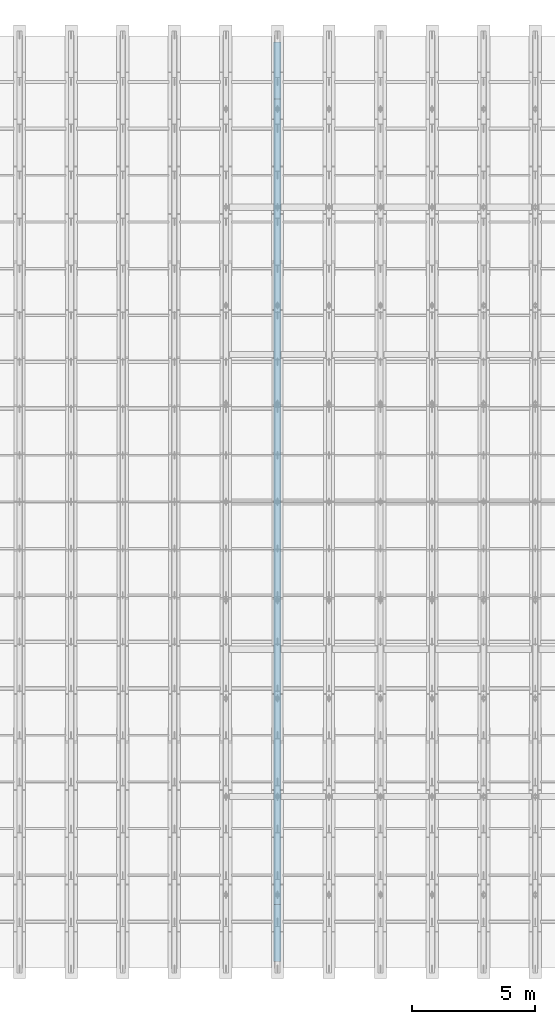
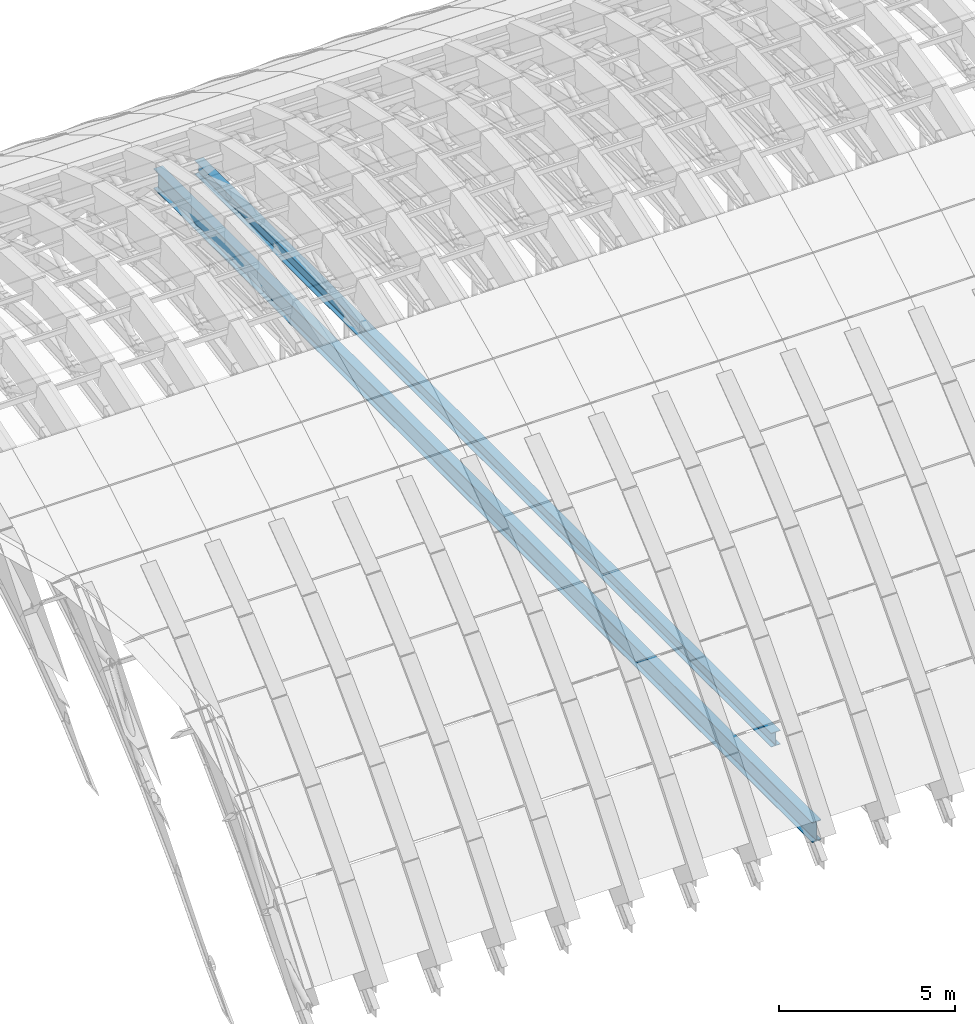
# One storey, part 17 of 67: 2 beams.
"""IFC4 building model written with IfcOpenShell, lengths in metres."""

from ifc_helpers import new_model, si_unit, direction, frame, origin, origin_2d, place, context, subcontext, project, spatial, i_section, extrude, material, material_profile, profile_set, type_object, element, save


model = new_model("IFC4")

# Units and contexts
model_context = context("Model", 3, precision=1e-05, world=origin(), true_north=direction((0.0, 1.0)))
body_context = subcontext(model_context, "Body", "Model", "MODEL_VIEW")
ifc_project = project(units=[si_unit("LENGTHUNIT", "METRE"), si_unit("AREAUNIT", "SQUARE_METRE"), si_unit("VOLUMEUNIT", "CUBIC_METRE"), si_unit("PLANEANGLEUNIT", "RADIAN"), si_unit("MASSUNIT", "GRAM", prefix="KILO")], contexts=[model_context])

# Site, building, storey
site_placement = place(None, origin())
site = spatial("IfcSite", under=ifc_project, at=site_placement, CompositionType="ELEMENT")
building_placement = place(site_placement, origin())
building = spatial("IfcBuilding", under=site, at=building_placement, Name="Shengluoqiao Park Theatre", CompositionType="ELEMENT")
storey_placement = place(building_placement, frame((0.0, 0.0, 28.60009765625)))
storey = spatial("IfcBuildingStorey", under=building, at=storey_placement, Name="Roof", CompositionType="ELEMENT", Elevation=28.60009765625)

# Beams
ifc_material_1 = material(Name="Steel Q355", Category="steel")
ifc_material_profile_1 = material_profile(ifc_material_1, i_section(OverallWidth=0.300048828125, OverallDepth=0.488037109375, WebThickness=0.010986328125, FlangeThickness=0.01806640625, FilletRadius=0.02197265625, at=origin_2d()), Name="HM 488x300x11x18")
ifc_profile_set_1 = profile_set([ifc_material_profile_1], Name="Steel Q355")
beam_type_1 = type_object("IfcBeamType", Name="STR-BM-G-HM488", PredefinedType="BEAM", material=ifc_profile_set_1)
beam_1_placement = place(storey_placement, frame((65.39990234375, 78.60009765625, -8.150146484375), z_axis=(0.0, 1.0, 0.0), x_axis=(-1.0, 0.0, 0.0)))
element("IfcBeam", 1, at=beam_1_placement, inside=storey, type_object=beam_type_1, Name="Barrel-Shell Acoustic Tie Truss Top Chord 11", PredefinedType="BEAM", context=body_context, shape_type="SweptSolid", body=[
    extrude(i_section(OverallWidth=0.300048828125, OverallDepth=0.488037109375, WebThickness=0.010986328125, FlangeThickness=0.01806640625, FilletRadius=0.02197265625, at=origin_2d()), origin(), (0.0, 0.0, 1.0), 32.7998046875),
])
ifc_material_2 = material(Name="Steel Q390", Category="steel")
ifc_material_profile_2 = material_profile(ifc_material_2, i_section(OverallWidth=0.300048828125, OverallDepth=0.699951171875, WebThickness=0.012939453125, FlangeThickness=0.02392578125, FilletRadius=0.02392578125, at=origin_2d()), Name="HN 700x300x13x24")
ifc_profile_set_2 = profile_set([ifc_material_profile_2], Name="Steel Q390")
beam_type_2 = type_object("IfcBeamType", Name="STR-BM-G-HN700", PredefinedType="BEAM", material=ifc_profile_set_2)
beam_2_placement = place(storey_placement, frame((65.39990234375, 76.280029296875, -9.9501953125), z_axis=(0.0, 1.0, 0.0), x_axis=(-1.0, 0.0, 0.0)))
element("IfcBeam", 2, at=beam_2_placement, inside=storey, type_object=beam_type_2, Name="Barrel-Shell Acoustic Tie Truss Bottom Chord 11", PredefinedType="BEAM", context=body_context, shape_type="SweptSolid", body=[
    extrude(i_section(OverallWidth=0.300048828125, OverallDepth=0.699951171875, WebThickness=0.012939453125, FlangeThickness=0.02392578125, FilletRadius=0.02392578125, at=origin_2d()), origin(), (0.0, 0.0, 1.0), 37.43994140625),
])

save(model, "model.ifc")
